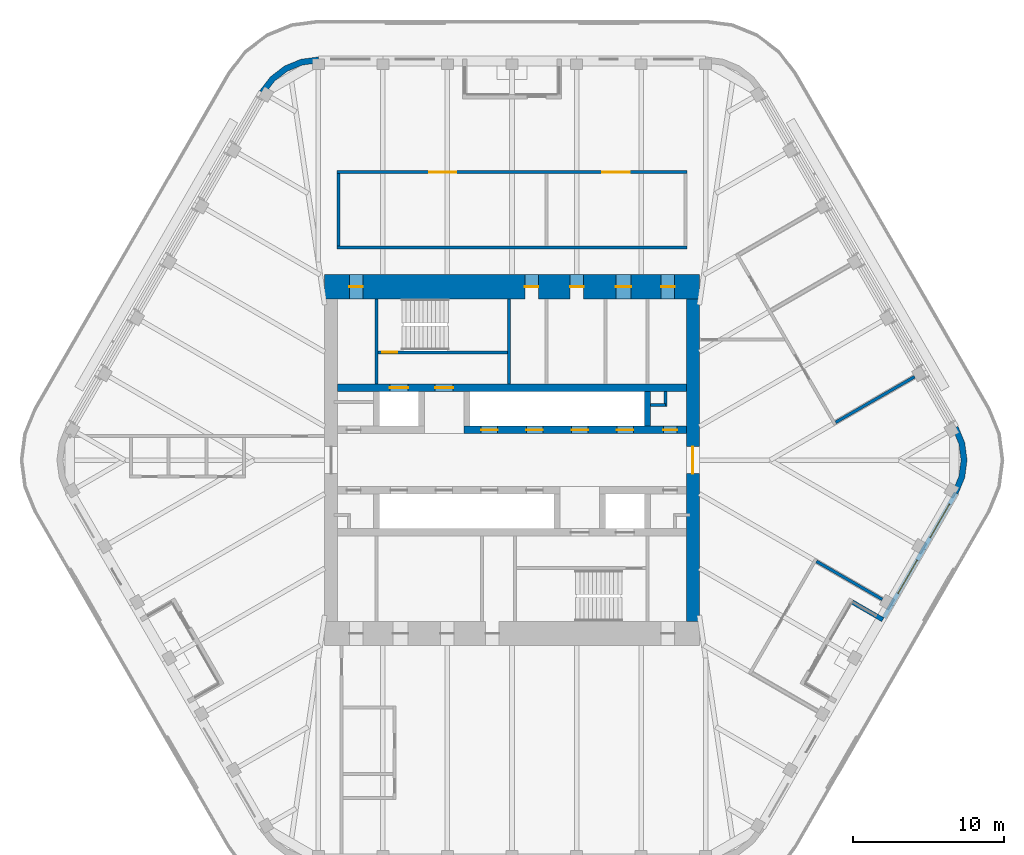
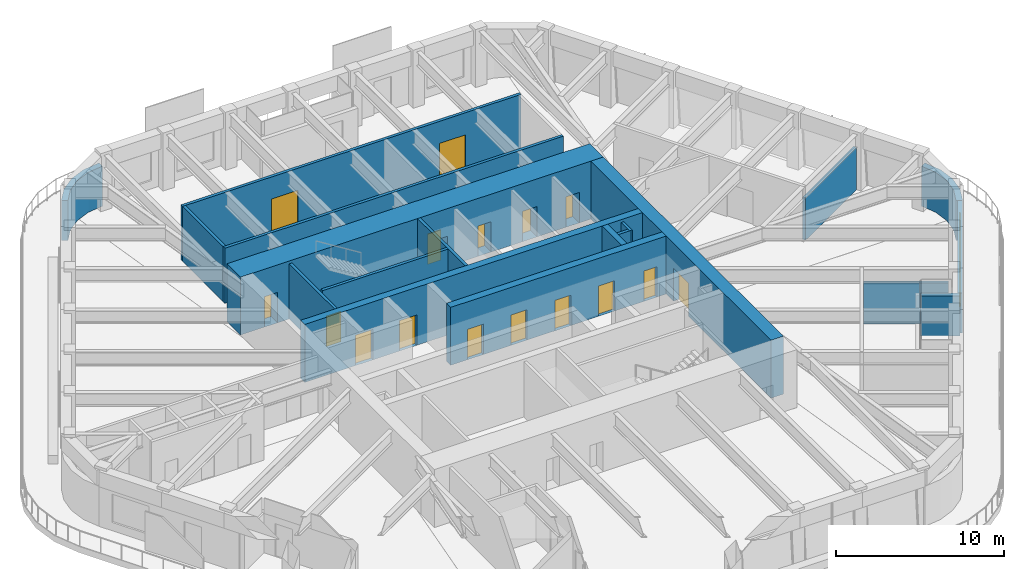
# One storey, part 15 of 19: 19 walls, 16 doors, 2 windows, 18 openings.
"""IFC4 building model written with IfcOpenShell, lengths in metres."""

from ifc_helpers import new_model, si_unit, direction, frame, frame_2d, origin, place, context, subcontext, project, spatial, polyline, rectangle, outline, extrude, material, layer, layer_set, type_object, element, fill, save


model = new_model("IFC4")

# Units and contexts
model_context = context("Model", 3, precision=1e-05, world=origin(), true_north=direction((0.0, 1.0)))
body_context = subcontext(model_context, "Body", "Model", "MODEL_VIEW")
ifc_project = project(units=[si_unit("LENGTHUNIT", "METRE"), si_unit("AREAUNIT", "SQUARE_METRE"), si_unit("VOLUMEUNIT", "CUBIC_METRE"), si_unit("PLANEANGLEUNIT", "RADIAN"), si_unit("MASSUNIT", "GRAM", prefix="KILO")], contexts=[model_context])

# Site, building, storey
site_placement = place(None, origin())
site = spatial("IfcSite", under=ifc_project, at=site_placement, CompositionType="ELEMENT")
building_placement = place(site_placement, origin())
building = spatial("IfcBuilding", under=site, at=building_placement, Name="Tarfa Lantern Tower", CompositionType="ELEMENT")
storey_placement = place(building_placement, frame((0.0, 0.0, 387.10009765625)))
storey = spatial("IfcBuildingStorey", under=building, at=storey_placement, Name="L88", CompositionType="ELEMENT", Elevation=387.10009765625)

# Wall, openings, windows
ifc_material_1 = material(Name="Limestone cladding on blockwork", Category="masonry")
ifc_layer_1 = layer(ifc_material_1, 0.300048828125)
ifc_layer_set_1 = layer_set([ifc_layer_1], Name="EW1 STONE-CLAD WALL 300")
wall_type_1 = type_object("IfcWallType", Name="EW1 STONE-CLAD WALL 300", PredefinedType="SOLIDWALL", material=ifc_layer_set_1)
wall_1_placement = place(storey_placement, frame((24.67724609375, -10.457763671875, 0.0), z_axis=(0.0, 0.0, 1.0), x_axis=(0.499996453679, 0.866027451244, 0.0)))
wall_1 = element("IfcWall", 1, at=wall_1_placement, inside=storey, type_object=wall_type_1, Name="Stone wall SEB", PredefinedType="SOLIDWALL", context=body_context, shape_type="SweptSolid", body=[
    extrude(rectangle(XDim=9.56396484375, YDim=0.300048828125, at=frame_2d((4.781982421875, 0.0))), origin(), (0.0, 0.0, 1.0), 2.89990234375),
])
opening_1_placement = place(wall_1_placement, frame((1.865966796875, 0.0, 0.60009765625)))
opening_1 = element("IfcOpeningElement", 2, at=opening_1_placement, cuts=wall_1, Name="Opening W17", PredefinedType="OPENING", context=body_context, shape_type="SweptSolid", body=[
    extrude(rectangle(XDim=2.550048828125, YDim=2.050048828125, at=frame_2d((1.27490234375, 1.02490234375))), frame((0.0, 0.159912109375, 0.0), z_axis=(0.0, -1.0, 0.0), x_axis=(1.0, 0.0, 0.0)), (0.0, 0.0, 1.0), 0.320068359375),
])
opening_2_placement = place(wall_1_placement, frame((6.14794921875, 0.0, 0.60009765625)))
opening_2 = element("IfcOpeningElement", 3, at=opening_2_placement, cuts=wall_1, Name="Opening W17", PredefinedType="OPENING", context=body_context, shape_type="SweptSolid", body=[
    extrude(rectangle(XDim=2.550048828125, YDim=2.050048828125, at=frame_2d((1.27490234375, 1.02490234375))), frame((0.0, 0.159912109375, 0.0), z_axis=(0.0, -1.0, 0.0), x_axis=(1.0, 0.0, 0.0)), (0.0, 0.0, 1.0), 0.320068359375),
])
ifc_material_2 = material(Name="Aluminium frame, double glazed", Category="aluminium")
window_type = type_object("IfcWindowType", Name="W17 FULL-HEIGHT GLAZING 2550x2050", PartitioningType="SINGLE_PANEL", PredefinedType="WINDOW", material=ifc_material_2)
window_1_placement = place(opening_1_placement, origin())
window_1 = element("IfcWindow", 4, at=window_1_placement, inside=storey, type_object=window_type, Name="Window SEB 1", OverallHeight=2.050048828125, OverallWidth=2.550048828125, PartitioningType="SINGLE_PANEL", PredefinedType="WINDOW", context=body_context, shape_type="SweptSolid", body=[
    extrude(rectangle(XDim=2.550048828125, YDim=2.050048828125, at=frame_2d((1.27490234375, 1.02490234375))), frame((0.0, 0.030029296875, 0.0), z_axis=(0.0, -1.0, 0.0), x_axis=(1.0, 0.0, 0.0)), (0.0, 0.0, 1.0), 0.06005859375),
])
fill(opening_1, window_1)
window_2_placement = place(opening_2_placement, origin())
window_2 = element("IfcWindow", 5, at=window_2_placement, inside=storey, type_object=window_type, Name="Window SEB 2", OverallHeight=2.050048828125, OverallWidth=2.550048828125, PartitioningType="SINGLE_PANEL", PredefinedType="WINDOW", context=body_context, shape_type="SweptSolid", body=[
    extrude(rectangle(XDim=2.550048828125, YDim=2.050048828125, at=frame_2d((1.27490234375, 1.02490234375))), frame((0.0, 0.030029296875, 0.0), z_axis=(0.0, -1.0, 0.0), x_axis=(1.0, 0.0, 0.0)), (0.0, 0.0, 1.0), 0.06005859375),
])
fill(opening_2, window_2)

# Walls
wall_2_placement = place(storey_placement, frame((24.602294921875, -10.587646484375, 0.0), z_axis=(0.0, 0.0, 1.0), x_axis=(-0.866016039709, 0.500016218704, 0.0)))
element("IfcWall", 6, at=wall_2_placement, inside=storey, type_object=wall_type_1, Name="Terrace return SE 2", PredefinedType="SOLIDWALL", context=body_context, shape_type="SweptSolid", body=[
    extrude(rectangle(XDim=2.35009765625, YDim=0.300048828125, at=frame_2d((1.175048828125, 0.0))), origin(), (0.0, 0.0, 1.0), 2.89990234375),
])
ifc_layer_2 = layer(ifc_material_1, 0.39990234375)
ifc_layer_set_2 = layer_set([ifc_layer_2], Name="EW2 CURVED STONE CORNER 400")
wall_type_2 = type_object("IfcWallType", Name="EW2 CURVED STONE CORNER 400", PredefinedType="SOLIDWALL", material=ifc_layer_set_2)
wall_3_placement = place(storey_placement, origin())
element("IfcWall", 7, at=wall_3_placement, inside=storey, type_object=wall_type_2, Name="Stone corner N-NW", PredefinedType="SOLIDWALL", context=body_context, shape_type="SweptSolid", body=[
    extrude(outline(polyline([(-12.845947265625, 26.75), (-14.0107421875, 26.5966796875), (-15.095947265625, 26.147216796875), (-16.028076171875, 25.431884765625), (-16.7431640625, 24.5), (-16.396728515625, 24.300048828125), (-15.7451171875, 25.149169921875), (-14.89599609375, 25.80078125), (-13.9072265625, 26.210205078125), (-12.845947265625, 26.35009765625), (-12.845947265625, 26.75)])), origin(), (0.0, 0.0, 1.0), 2.89990234375),
])
wall_4_placement = place(storey_placement, origin())
element("IfcWall", 8, at=wall_4_placement, inside=storey, type_object=wall_type_2, Name="Stone corner SE-NE", PredefinedType="SOLIDWALL", context=body_context, shape_type="SweptSolid", body=[
    extrude(outline(polyline([(29.589111328125, -2.25), (30.038818359375, -1.164794921875), (30.192138671875, 0.0), (30.038818359375, 1.164794921875), (29.589111328125, 2.25), (29.24267578125, 2.050048828125), (29.65234375, 1.061279296875), (29.7919921875, 0.0), (29.65234375, -1.061279296875), (29.24267578125, -2.050048828125), (29.589111328125, -2.25)])), origin(), (0.0, 0.0, 1.0), 2.89990234375),
])
ifc_material_3 = material(Name="Concrete blockwork", Category="masonry")
ifc_layer_3 = layer(ifc_material_3, 0.199951171875)
ifc_layer_set_3 = layer_set([ifc_layer_3], Name="IW1 BLOCKWORK PARTITION 200 EI 120")
wall_type_3 = type_object("IfcWallType", Name="IW1 BLOCKWORK PARTITION 200 EI 120", PredefinedType="PARTITIONING", material=ifc_layer_set_3)
wall_5_placement = place(storey_placement, frame((-9.0, 5.050048828125, 0.0), z_axis=(0.0, 0.0, 1.0), x_axis=(0.0, 1.0, 0.0)))
element("IfcWall", 9, at=wall_5_placement, inside=storey, type_object=wall_type_3, Name="Core partition", PredefinedType="PARTITIONING", context=body_context, shape_type="SweptSolid", body=[
    extrude(rectangle(XDim=5.64990234375, YDim=0.199951171875, at=frame_2d((2.824951171875, 0.0))), origin(), (0.0, 0.0, 1.0), 4.0),
])
for number, where, z_axis, x_axis, name in (
    (10, (9.199951171875, 3.64990234375, 0.0), (0.0, 0.0, 1.0), (1.0, 0.0, 0.0), "Core partition"),
    (11, (10.199951171875, 3.550048828125, 0.0), (0.0, 0.0, 1.0), (0.0, 1.0, 0.0), "Core partition"),
):
    element("IfcWall", number, at=place(storey_placement, frame(where, z_axis=z_axis, x_axis=x_axis)), inside=storey, type_object=wall_type_3, Name=name, PredefinedType="PARTITIONING", context=body_context, shape_type="SweptSolid", body=[
        extrude(rectangle(XDim=1.0, YDim=0.199951171875, at=frame_2d((0.5, 0.0))), origin(), (0.0, 0.0, 1.0), 4.0),
    ])
ifc_material_4 = material(Name="Gypsum board on steel studs", Category="steel")
ifc_layer_4 = layer(ifc_material_4, 0.2099609375)
ifc_layer_set_4 = layer_set([ifc_layer_4], Name="IW2 ACOUSTIC PARTITION 200")
wall_type_4 = type_object("IfcWallType", Name="IW2 ACOUSTIC PARTITION 200", PredefinedType="PARTITIONING", material=ifc_layer_set_4)
wall_6_placement = place(storey_placement, frame((-11.60009765625, 14.10009765625, 0.0), z_axis=(0.0, 0.0, 1.0), x_axis=(1.0, 0.0, 0.0)))
element("IfcWall", 12, at=wall_6_placement, inside=storey, type_object=wall_type_4, Name="Partition", PredefinedType="PARTITIONING", context=body_context, shape_type="SweptSolid", body=[
    extrude(rectangle(XDim=23.2001953125, YDim=0.199951171875, at=frame_2d((11.60009765625, 0.0))), origin(), (0.0, 0.0, 1.0), 4.0),
])

# Wall, openings, doors
wall_7_placement = place(storey_placement, frame((-11.60009765625, 19.10009765625, 0.0), z_axis=(0.0, 0.0, 1.0), x_axis=(1.0, 0.0, 0.0)))
wall_7 = element("IfcWall", 13, at=wall_7_placement, inside=storey, type_object=wall_type_4, Name="Partition", PredefinedType="PARTITIONING", context=body_context, shape_type="SweptSolid", body=[
    extrude(rectangle(XDim=23.2001953125, YDim=0.199951171875, at=frame_2d((11.60009765625, 0.0))), origin(), (0.0, 0.0, 1.0), 4.0),
])
opening_3_placement = place(wall_7_placement, frame((6.10009765625, 0.0, 0.0)))
opening_3 = element("IfcOpeningElement", 14, at=opening_3_placement, cuts=wall_7, Name="Opening D24", PredefinedType="OPENING", context=body_context, shape_type="SweptSolid", body=[
    extrude(rectangle(XDim=1.800048828125, YDim=2.39990234375, at=frame_2d((0.89990234375, 1.199951171875))), frame((0.0, 0.10986328125, 0.0), z_axis=(0.0, -1.0, 0.0), x_axis=(1.0, 0.0, 0.0)), (0.0, 0.0, 1.0), 0.219970703125),
])
opening_4_placement = place(wall_7_placement, frame((17.60009765625, 0.0, 0.0)))
opening_4 = element("IfcOpeningElement", 15, at=opening_4_placement, cuts=wall_7, Name="Opening D25", PredefinedType="OPENING", context=body_context, shape_type="SweptSolid", body=[
    extrude(rectangle(XDim=1.800048828125, YDim=2.39990234375, at=frame_2d((0.89990234375, 1.199951171875))), frame((0.0, 0.10986328125, 0.0), z_axis=(0.0, -1.0, 0.0), x_axis=(1.0, 0.0, 0.0)), (0.0, 0.0, 1.0), 0.219970703125),
])
ifc_material_5 = material(Name="Timber door", Category="wood")
door_type_1 = type_object("IfcDoorType", Name="DR2 ROOM DOOR 1800x2400", OperationType="DOUBLE_DOOR_SINGLE_SWING", PredefinedType="DOOR", material=ifc_material_5)
door_1_placement = place(opening_3_placement, frame((1.800048828125, 0.0, 0.0), z_axis=(0.0, 0.0, 1.0), x_axis=(-1.0, 0.0, 0.0)))
door_1 = element("IfcDoor", 16, at=door_1_placement, inside=storey, type_object=door_type_1, Name="Servery door", OperationType="DOUBLE_DOOR_SINGLE_SWING", OverallHeight=2.39990234375, OverallWidth=1.800048828125, PredefinedType="DOOR", context=body_context, shape_type="SweptSolid", body=[
    extrude(rectangle(XDim=1.800048828125, YDim=2.39990234375, at=frame_2d((0.89990234375, 1.199951171875))), frame((0.0, 0.02490234375, 0.0), z_axis=(0.0, -1.0, 0.0), x_axis=(1.0, 0.0, 0.0)), (0.0, 0.0, 1.0), 0.050048828125),
])
fill(opening_3, door_1)
door_2_placement = place(opening_4_placement, frame((1.800048828125, 0.0, 0.0), z_axis=(0.0, 0.0, 1.0), x_axis=(-1.0, 0.0, 0.0)))
door_2 = element("IfcDoor", 17, at=door_2_placement, inside=storey, type_object=door_type_1, Name="Store door", OperationType="DOUBLE_DOOR_SINGLE_SWING", OverallHeight=2.39990234375, OverallWidth=1.800048828125, PredefinedType="DOOR", context=body_context, shape_type="SweptSolid", body=[
    extrude(rectangle(XDim=1.800048828125, YDim=2.39990234375, at=frame_2d((0.89990234375, 1.199951171875))), frame((0.0, 0.02490234375, 0.0), z_axis=(0.0, -1.0, 0.0), x_axis=(1.0, 0.0, 0.0)), (0.0, 0.0, 1.0), 0.050048828125),
])
fill(opening_4, door_2)

# Walls
wall_8_placement = place(storey_placement, frame((-11.5, 14.199951171875, 0.0), z_axis=(0.0, 0.0, 1.0), x_axis=(0.0, 1.0, 0.0)))
element("IfcWall", 18, at=wall_8_placement, inside=storey, type_object=wall_type_4, Name="Partition", PredefinedType="PARTITIONING", context=body_context, shape_type="SweptSolid", body=[
    extrude(rectangle(XDim=4.800048828125, YDim=0.199951171875, at=frame_2d((2.39990234375, 0.0))), origin(), (0.0, 0.0, 1.0), 4.0),
])
wall_9_placement = place(storey_placement, frame((21.47265625, 2.50830078125, 0.0), z_axis=(0.0, 0.0, 1.0), x_axis=(0.866016913815, 0.50001470477, 0.0)))
element("IfcWall", 19, at=wall_9_placement, inside=storey, type_object=wall_type_4, Name="Partition", PredefinedType="PARTITIONING", context=body_context, shape_type="SweptSolid", body=[
    extrude(rectangle(XDim=6.050048828125, YDim=0.199951171875, at=frame_2d((3.02490234375, 0.0))), origin(), (0.0, 0.0, 1.0), 3.08154296875),
])
wall_10_placement = place(storey_placement, frame((20.19775390625, -6.716552734375, 0.0), z_axis=(0.0, 0.0, 1.0), x_axis=(0.866006046928, -0.500033525561, 0.0)))
element("IfcWall", 20, at=wall_10_placement, inside=storey, type_object=wall_type_4, Name="Partition", PredefinedType="PARTITIONING", context=body_context, shape_type="SweptSolid", body=[
    extrude(rectangle(XDim=5.050048828125, YDim=0.199951171875, at=frame_2d((2.52490234375, 0.0))), origin(), (0.0, 0.0, 1.0), 2.99169921875),
])
ifc_material_6 = material(Name="Concrete C80/95", Category="concrete")
ifc_layer_5 = layer(ifc_material_6, 0.199951171875)
ifc_layer_set_5 = layer_set([ifc_layer_5], Name="SW12 CORE WALL 200")
wall_type_5 = type_object("IfcWallType", Name="SW12 CORE WALL 200", PredefinedType="SHEAR", material=ifc_layer_set_5)
wall_11_placement = place(storey_placement, frame((-0.199951171875, 5.050048828125, 0.0), z_axis=(0.0, 0.0, 1.0), x_axis=(0.0, 1.0, 0.0)))
element("IfcWall", 21, at=wall_11_placement, inside=storey, type_object=wall_type_5, Name="Core wall stair shaft N", PredefinedType="SHEAR", context=body_context, shape_type="SweptSolid", body=[
    extrude(rectangle(XDim=5.64990234375, YDim=0.199951171875, at=frame_2d((2.824951171875, 0.0))), origin(), (0.0, 0.0, 1.0), 4.199951171875),
])

# Wall, opening, door
wall_12_placement = place(storey_placement, frame((-8.89990234375, 7.14990234375, 0.0), z_axis=(0.0, 0.0, 1.0), x_axis=(1.0, 0.0, 0.0)))
wall_12 = element("IfcWall", 22, at=wall_12_placement, inside=storey, type_object=wall_type_5, Name="Core wall stair partition N", PredefinedType="SHEAR", context=body_context, shape_type="SweptSolid", body=[
    extrude(rectangle(XDim=8.599853515625, YDim=0.199951171875, at=frame_2d((4.2998046875, 0.0))), origin(), (0.0, 0.0, 1.0), 4.199951171875),
])
opening_5_placement = place(wall_12_placement, frame((0.300048828125, 0.0, 0.0)))
opening_5 = element("IfcOpeningElement", 23, at=opening_5_placement, cuts=wall_12, Name="Opening D19", PredefinedType="OPENING", context=body_context, shape_type="SweptSolid", body=[
    extrude(rectangle(XDim=1.0, YDim=2.199951171875, at=frame_2d((0.5, 1.10009765625))), frame((0.0, 0.10986328125, 0.0), z_axis=(0.0, -1.0, 0.0), x_axis=(1.0, 0.0, 0.0)), (0.0, 0.0, 1.0), 0.219970703125),
])
ifc_material_7 = material(Name="Steel fire door", Category="steel")
door_type_2 = type_object("IfcDoorType", Name="DF2 STAIR DOOR 1000x2200", OperationType="SINGLE_SWING_LEFT", PredefinedType="DOOR", material=ifc_material_7)
door_3_placement = place(opening_5_placement, origin())
door_3 = element("IfcDoor", 24, at=door_3_placement, inside=storey, type_object=door_type_2, Name="Stair door", OperationType="SINGLE_SWING_RIGHT", OverallHeight=2.199951171875, OverallWidth=1.0, PredefinedType="DOOR", context=body_context, shape_type="SweptSolid", body=[
    extrude(rectangle(XDim=1.0, YDim=2.199951171875, at=frame_2d((0.5, 1.10009765625))), frame((0.0, 0.02490234375, 0.0), z_axis=(0.0, -1.0, 0.0), x_axis=(1.0, 0.0, 0.0)), (0.0, 0.0, 1.0), 0.050048828125),
])
fill(opening_5, door_3)

ifc_layer_6 = layer(ifc_material_6, 0.85009765625)
ifc_layer_set_6 = layer_set([ifc_layer_6], Name="SW3 CORE WALL 850")
wall_type_6 = type_object("IfcWallType", Name="SW3 CORE WALL 850", PredefinedType="SHEAR", material=ifc_layer_set_6)
wall_13_placement = place(storey_placement, frame((12.0, -10.699951171875, 0.0), z_axis=(0.0, 0.0, 1.0), x_axis=(0.0, 1.0, 0.0)))
wall_13 = element("IfcWall", 25, at=wall_13_placement, inside=storey, type_object=wall_type_6, Name="Core wall E", PredefinedType="SHEAR", context=body_context, shape_type="SweptSolid", body=[
    extrude(rectangle(XDim=21.39990234375, YDim=0.85009765625, at=frame_2d((10.699951171875, 0.0))), origin(), (0.0, 0.0, 1.0), 4.199951171875),
])
opening_6_placement = place(wall_13_placement, frame((9.800048828125, 0.0, 0.0)))
opening_6 = element("IfcOpeningElement", 26, at=opening_6_placement, cuts=wall_13, Name="Opening D07", PredefinedType="OPENING", context=body_context, shape_type="SweptSolid", body=[
    extrude(rectangle(XDim=1.800048828125, YDim=2.39990234375, at=frame_2d((0.89990234375, 1.199951171875))), frame((0.0, 0.43505859375, 0.0), z_axis=(0.0, -1.0, 0.0), x_axis=(1.0, 0.0, 0.0)), (0.0, 0.0, 1.0), 0.8701171875),
])
door_type_3 = type_object("IfcDoorType", Name="DL1 LOBBY DOOR 1800x2400", OperationType="DOUBLE_DOOR_SINGLE_SWING", PredefinedType="DOOR", material=ifc_material_7)
door_4_placement = place(opening_6_placement, frame((1.800048828125, 0.0, 0.0), z_axis=(0.0, 0.0, 1.0), x_axis=(-1.0, 0.0, 0.0)))
door_4 = element("IfcDoor", 27, at=door_4_placement, inside=storey, type_object=door_type_3, Name="Lift lobby door", OperationType="DOUBLE_DOOR_SINGLE_SWING", OverallHeight=2.39990234375, OverallWidth=1.800048828125, PredefinedType="DOOR", context=body_context, shape_type="SweptSolid", body=[
    extrude(rectangle(XDim=1.800048828125, YDim=2.39990234375, at=frame_2d((0.89990234375, 1.199951171875))), frame((0.0, 0.02490234375, 0.0), z_axis=(0.0, -1.0, 0.0), x_axis=(1.0, 0.0, 0.0)), (0.0, 0.0, 1.0), 0.050048828125),
])
fill(opening_6, door_4)

# Wall, openings, doors
ifc_layer_7 = layer(ifc_material_6, 0.5)
ifc_layer_set_7 = layer_set([ifc_layer_7], Name="SW5 CORE WALL 500")
wall_type_7 = type_object("IfcWallType", Name="SW5 CORE WALL 500", PredefinedType="SHEAR", material=ifc_layer_set_7)
wall_14_placement = place(storey_placement, frame((-3.199951171875, 2.0, 0.0), z_axis=(0.0, 0.0, 1.0), x_axis=(1.0, 0.0, 0.0)))
wall_14 = element("IfcWall", 28, at=wall_14_placement, inside=storey, type_object=wall_type_7, Name="Core wall lobby east N", PredefinedType="SHEAR", context=body_context, shape_type="SweptSolid", body=[
    extrude(rectangle(XDim=14.77490234375, YDim=0.5, at=frame_2d((7.387451171875, 0.0))), origin(), (0.0, 0.0, 1.0), 4.199951171875),
])
opening_7_placement = place(wall_14_placement, frame((13.25, 0.0, 0.0)))
opening_7 = element("IfcOpeningElement", 29, at=opening_7_placement, cuts=wall_14, Name="Opening D09", PredefinedType="OPENING", context=body_context, shape_type="SweptSolid", body=[
    extrude(rectangle(XDim=0.89990234375, YDim=2.199951171875, at=frame_2d((0.449951171875, 1.10009765625))), frame((0.0, 0.260009765625, 0.0), z_axis=(0.0, -1.0, 0.0), x_axis=(1.0, 0.0, 0.0)), (0.0, 0.0, 1.0), 0.52001953125),
])
opening_8_placement = place(wall_14_placement, frame((1.14990234375, 0.0, 0.0)))
opening_8 = element("IfcOpeningElement", 30, at=opening_8_placement, cuts=wall_14, Name="Opening LD03", PredefinedType="OPENING", context=body_context, shape_type="SweptSolid", body=[
    extrude(rectangle(XDim=1.10009765625, YDim=2.199951171875, at=frame_2d((0.550048828125, 1.10009765625))), frame((0.0, 0.260009765625, 0.0), z_axis=(0.0, -1.0, 0.0), x_axis=(1.0, 0.0, 0.0)), (0.0, 0.0, 1.0), 0.52001953125),
])
opening_9_placement = place(wall_14_placement, frame((4.14990234375, 0.0, 0.0)))
opening_9 = element("IfcOpeningElement", 31, at=opening_9_placement, cuts=wall_14, Name="Opening LD04", PredefinedType="OPENING", context=body_context, shape_type="SweptSolid", body=[
    extrude(rectangle(XDim=1.10009765625, YDim=2.199951171875, at=frame_2d((0.550048828125, 1.10009765625))), frame((0.0, 0.260009765625, 0.0), z_axis=(0.0, -1.0, 0.0), x_axis=(1.0, 0.0, 0.0)), (0.0, 0.0, 1.0), 0.52001953125),
])
opening_10_placement = place(wall_14_placement, frame((7.14990234375, 0.0, 0.0)))
opening_10 = element("IfcOpeningElement", 32, at=opening_10_placement, cuts=wall_14, Name="Opening LD05", PredefinedType="OPENING", context=body_context, shape_type="SweptSolid", body=[
    extrude(rectangle(XDim=1.10009765625, YDim=2.199951171875, at=frame_2d((0.550048828125, 1.10009765625))), frame((0.0, 0.260009765625, 0.0), z_axis=(0.0, -1.0, 0.0), x_axis=(1.0, 0.0, 0.0)), (0.0, 0.0, 1.0), 0.52001953125),
])
opening_11_placement = place(wall_14_placement, frame((10.14990234375, 0.0, 0.0)))
opening_11 = element("IfcOpeningElement", 33, at=opening_11_placement, cuts=wall_14, Name="Opening LD06", PredefinedType="OPENING", context=body_context, shape_type="SweptSolid", body=[
    extrude(rectangle(XDim=1.10009765625, YDim=2.199951171875, at=frame_2d((0.550048828125, 1.10009765625))), frame((0.0, 0.260009765625, 0.0), z_axis=(0.0, -1.0, 0.0), x_axis=(1.0, 0.0, 0.0)), (0.0, 0.0, 1.0), 0.52001953125),
])
door_type_4 = type_object("IfcDoorType", Name="DF6 SERVICE ROOM DOOR 900x2200", OperationType="SINGLE_SWING_LEFT", PredefinedType="DOOR", material=ifc_material_7)
door_5_placement = place(opening_7_placement, origin())
door_5 = element("IfcDoor", 34, at=door_5_placement, inside=storey, type_object=door_type_4, Name="Service room door", OperationType="SINGLE_SWING_LEFT", OverallHeight=2.199951171875, OverallWidth=0.89990234375, PredefinedType="DOOR", context=body_context, shape_type="SweptSolid", body=[
    extrude(rectangle(XDim=0.89990234375, YDim=2.199951171875, at=frame_2d((0.449951171875, 1.10009765625))), frame((0.0, 0.02490234375, 0.0), z_axis=(0.0, -1.0, 0.0), x_axis=(1.0, 0.0, 0.0)), (0.0, 0.0, 1.0), 0.050048828125),
])
fill(opening_7, door_5)
ifc_material_8 = material(Name="Stainless steel lift door", Category="steel")
door_type_5 = type_object("IfcDoorType", Name="LD2 LIFT LANDING DOOR 1100x2200", OperationType="SLIDING_TO_LEFT", PredefinedType="DOOR", material=ifc_material_8)
door_6_placement = place(opening_8_placement, frame((1.10009765625, 0.0, 0.0), z_axis=(0.0, 0.0, 1.0), x_axis=(-1.0, 0.0, 0.0)))
door_6 = element("IfcDoor", 35, at=door_6_placement, inside=storey, type_object=door_type_5, Name="Landing door PD1", OperationType="SLIDING_TO_LEFT", OverallHeight=2.199951171875, OverallWidth=1.10009765625, PredefinedType="DOOR", context=body_context, shape_type="SweptSolid", body=[
    extrude(rectangle(XDim=1.10009765625, YDim=2.199951171875, at=frame_2d((0.550048828125, 1.10009765625))), frame((0.0, 0.02490234375, 0.0), z_axis=(0.0, -1.0, 0.0), x_axis=(1.0, 0.0, 0.0)), (0.0, 0.0, 1.0), 0.050048828125),
])
fill(opening_8, door_6)
door_7_placement = place(opening_9_placement, frame((1.10009765625, 0.0, 0.0), z_axis=(0.0, 0.0, 1.0), x_axis=(-1.0, 0.0, 0.0)))
door_7 = element("IfcDoor", 36, at=door_7_placement, inside=storey, type_object=door_type_5, Name="Landing door PD2", OperationType="SLIDING_TO_LEFT", OverallHeight=2.199951171875, OverallWidth=1.10009765625, PredefinedType="DOOR", context=body_context, shape_type="SweptSolid", body=[
    extrude(rectangle(XDim=1.10009765625, YDim=2.199951171875, at=frame_2d((0.550048828125, 1.10009765625))), frame((0.0, 0.02490234375, 0.0), z_axis=(0.0, -1.0, 0.0), x_axis=(1.0, 0.0, 0.0)), (0.0, 0.0, 1.0), 0.050048828125),
])
fill(opening_9, door_7)
door_8_placement = place(opening_10_placement, frame((1.10009765625, 0.0, 0.0), z_axis=(0.0, 0.0, 1.0), x_axis=(-1.0, 0.0, 0.0)))
door_8 = element("IfcDoor", 37, at=door_8_placement, inside=storey, type_object=door_type_5, Name="Landing door PD3", OperationType="SLIDING_TO_LEFT", OverallHeight=2.199951171875, OverallWidth=1.10009765625, PredefinedType="DOOR", context=body_context, shape_type="SweptSolid", body=[
    extrude(rectangle(XDim=1.10009765625, YDim=2.199951171875, at=frame_2d((0.550048828125, 1.10009765625))), frame((0.0, 0.02490234375, 0.0), z_axis=(0.0, -1.0, 0.0), x_axis=(1.0, 0.0, 0.0)), (0.0, 0.0, 1.0), 0.050048828125),
])
fill(opening_10, door_8)
door_9_placement = place(opening_11_placement, frame((1.10009765625, 0.0, 0.0), z_axis=(0.0, 0.0, 1.0), x_axis=(-1.0, 0.0, 0.0)))
door_9 = element("IfcDoor", 38, at=door_9_placement, inside=storey, type_object=door_type_5, Name="Landing door PD4", OperationType="SLIDING_TO_LEFT", OverallHeight=2.199951171875, OverallWidth=1.10009765625, PredefinedType="DOOR", context=body_context, shape_type="SweptSolid", body=[
    extrude(rectangle(XDim=1.10009765625, YDim=2.199951171875, at=frame_2d((0.550048828125, 1.10009765625))), frame((0.0, 0.02490234375, 0.0), z_axis=(0.0, -1.0, 0.0), x_axis=(1.0, 0.0, 0.0)), (0.0, 0.0, 1.0), 0.050048828125),
])
fill(opening_11, door_9)

wall_15_placement = place(storey_placement, frame((-11.574951171875, 4.800048828125, 0.0), z_axis=(0.0, 0.0, 1.0), x_axis=(1.0, 0.0, 0.0)))
wall_15 = element("IfcWall", 39, at=wall_15_placement, inside=storey, type_object=wall_type_7, Name="Core wall rear N", PredefinedType="SHEAR", context=body_context, shape_type="SweptSolid", body=[
    extrude(rectangle(XDim=23.14990234375, YDim=0.5, at=frame_2d((11.574951171875, 0.0))), origin(), (0.0, 0.0, 1.0), 4.199951171875),
])
opening_12_placement = place(wall_15_placement, frame((6.47509765625, 0.0, 0.0)))
opening_12 = element("IfcOpeningElement", 40, at=opening_12_placement, cuts=wall_15, Name="Opening D05", PredefinedType="OPENING", context=body_context, shape_type="SweptSolid", body=[
    extrude(rectangle(XDim=1.199951171875, YDim=2.199951171875, at=frame_2d((0.60009765625, 1.10009765625))), frame((0.0, 0.260009765625, 0.0), z_axis=(0.0, -1.0, 0.0), x_axis=(1.0, 0.0, 0.0)), (0.0, 0.0, 1.0), 0.52001953125),
])
opening_13_placement = place(wall_15_placement, frame((3.47509765625, 0.0, 0.0)))
opening_13 = element("IfcOpeningElement", 41, at=opening_13_placement, cuts=wall_15, Name="Opening LD01", PredefinedType="OPENING", context=body_context, shape_type="SweptSolid", body=[
    extrude(rectangle(XDim=1.199951171875, YDim=2.199951171875, at=frame_2d((0.60009765625, 1.10009765625))), frame((0.0, 0.260009765625, 0.0), z_axis=(0.0, -1.0, 0.0), x_axis=(1.0, 0.0, 0.0)), (0.0, 0.0, 1.0), 0.52001953125),
])
door_type_6 = type_object("IfcDoorType", Name="DF1 FIREFIGHTING LOBBY DOOR 1200x2200", OperationType="SINGLE_SWING_LEFT", PredefinedType="DOOR", material=ifc_material_7)
door_10_placement = place(opening_12_placement, origin())
door_10 = element("IfcDoor", 42, at=door_10_placement, inside=storey, type_object=door_type_6, Name="Firefighting lobby door", OperationType="SINGLE_SWING_LEFT", OverallHeight=2.199951171875, OverallWidth=1.199951171875, PredefinedType="DOOR", context=body_context, shape_type="SweptSolid", body=[
    extrude(rectangle(XDim=1.199951171875, YDim=2.199951171875, at=frame_2d((0.60009765625, 1.10009765625))), frame((0.0, 0.02490234375, 0.0), z_axis=(0.0, -1.0, 0.0), x_axis=(1.0, 0.0, 0.0)), (0.0, 0.0, 1.0), 0.050048828125),
])
fill(opening_12, door_10)
door_type_7 = type_object("IfcDoorType", Name="LD1 LIFT LANDING DOOR 1200x2200", OperationType="SLIDING_TO_LEFT", PredefinedType="DOOR", material=ifc_material_8)
door_11_placement = place(opening_13_placement, origin())
door_11 = element("IfcDoor", 43, at=door_11_placement, inside=storey, type_object=door_type_7, Name="Landing door FL1", OperationType="SLIDING_TO_LEFT", OverallHeight=2.199951171875, OverallWidth=1.199951171875, PredefinedType="DOOR", context=body_context, shape_type="SweptSolid", body=[
    extrude(rectangle(XDim=1.199951171875, YDim=2.199951171875, at=frame_2d((0.60009765625, 1.10009765625))), frame((0.0, 0.02490234375, 0.0), z_axis=(0.0, -1.0, 0.0), x_axis=(1.0, 0.0, 0.0)), (0.0, 0.0, 1.0), 0.050048828125),
])
fill(opening_13, door_11)

# Wall
ifc_layer_8 = layer(ifc_material_6, 0.39990234375)
ifc_layer_set_8 = layer_set([ifc_layer_8], Name="SW6 CORE WALL 400")
wall_type_8 = type_object("IfcWallType", Name="SW6 CORE WALL 400", PredefinedType="SHEAR", material=ifc_layer_set_8)
wall_16_placement = place(storey_placement, frame((9.0, 2.25, 0.0), z_axis=(0.0, 0.0, 1.0), x_axis=(0.0, 1.0, 0.0)))
element("IfcWall", 44, at=wall_16_placement, inside=storey, type_object=wall_type_8, Name="Core wall divider N", PredefinedType="SHEAR", context=body_context, shape_type="SweptSolid", body=[
    extrude(rectangle(XDim=2.300048828125, YDim=0.39990234375, at=frame_2d((1.14990234375, 0.0))), origin(), (0.0, 0.0, 1.0), 4.199951171875),
])

# Wall, openings, doors
ifc_layer_9 = layer(ifc_material_6, 1.60009765625)
ifc_layer_set_9 = layer_set([ifc_layer_9], Name="SW7 CORE WALL 1600")
wall_type_9 = type_object("IfcWallType", Name="SW7 CORE WALL 1600", PredefinedType="SHEAR", material=ifc_layer_set_9)
wall_17_placement = place(storey_placement, frame((-12.425048828125, 11.5, 0.0), z_axis=(0.0, 0.0, 1.0), x_axis=(1.0, 0.0, 0.0)))
wall_17 = element("IfcWall", 45, at=wall_17_placement, inside=storey, type_object=wall_type_9, Name="Core wall N", PredefinedType="SHEAR", context=body_context, shape_type="SweptSolid", body=[
    extrude(rectangle(XDim=24.85009765625, YDim=1.60009765625, at=frame_2d((12.425048828125, 0.0))), origin(), (0.0, 0.0, 1.0), 4.199951171875),
])
opening_14_placement = place(wall_17_placement, frame((13.27490234375, 0.0, 0.0)))
opening_14 = element("IfcOpeningElement", 46, at=opening_14_placement, cuts=wall_17, Name="Opening D13", PredefinedType="OPENING", context=body_context, shape_type="SweptSolid", body=[
    extrude(rectangle(XDim=0.89990234375, YDim=2.199951171875, at=frame_2d((0.449951171875, 1.10009765625))), frame((0.0, 0.81005859375, 0.0), z_axis=(0.0, -1.0, 0.0), x_axis=(1.0, 0.0, 0.0)), (0.0, 0.0, 1.0), 1.6201171875),
])
opening_15_placement = place(wall_17_placement, frame((16.27490234375, 0.0, 0.0)))
opening_15 = element("IfcOpeningElement", 47, at=opening_15_placement, cuts=wall_17, Name="Opening D15", PredefinedType="OPENING", context=body_context, shape_type="SweptSolid", body=[
    extrude(rectangle(XDim=0.89990234375, YDim=2.199951171875, at=frame_2d((0.449951171875, 1.10009765625))), frame((0.0, 0.81005859375, 0.0), z_axis=(0.0, -1.0, 0.0), x_axis=(1.0, 0.0, 0.0)), (0.0, 0.0, 1.0), 1.6201171875),
])
opening_16_placement = place(wall_17_placement, frame((19.324951171875, 0.0, 0.0)))
opening_16 = element("IfcOpeningElement", 48, at=opening_16_placement, cuts=wall_17, Name="Opening D17", PredefinedType="OPENING", context=body_context, shape_type="SweptSolid", body=[
    extrude(rectangle(XDim=1.0, YDim=2.199951171875, at=frame_2d((0.5, 1.10009765625))), frame((0.0, 0.81005859375, 0.0), z_axis=(0.0, -1.0, 0.0), x_axis=(1.0, 0.0, 0.0)), (0.0, 0.0, 1.0), 1.6201171875),
])
opening_17_placement = place(wall_17_placement, frame((1.637451171875, 0.0, 0.0)))
opening_17 = element("IfcOpeningElement", 49, at=opening_17_placement, cuts=wall_17, Name="Opening D03", PredefinedType="OPENING", context=body_context, shape_type="SweptSolid", body=[
    extrude(rectangle(XDim=0.89990234375, YDim=2.199951171875, at=frame_2d((0.449951171875, 1.10009765625))), frame((0.0, 0.81005859375, 0.0), z_axis=(0.0, -1.0, 0.0), x_axis=(1.0, 0.0, 0.0)), (0.0, 0.0, 1.0), 1.6201171875),
])
opening_18_placement = place(wall_17_placement, frame((22.3125, 0.0, 0.0)))
opening_18 = element("IfcOpeningElement", 50, at=opening_18_placement, cuts=wall_17, Name="Opening D01", PredefinedType="OPENING", context=body_context, shape_type="SweptSolid", body=[
    extrude(rectangle(XDim=0.89990234375, YDim=2.199951171875, at=frame_2d((0.449951171875, 1.10009765625))), frame((0.0, 0.81005859375, 0.0), z_axis=(0.0, -1.0, 0.0), x_axis=(1.0, 0.0, 0.0)), (0.0, 0.0, 1.0), 1.6201171875),
])
door_type_8 = type_object("IfcDoorType", Name="DF3 CORE ROOM DOOR 900x2200", OperationType="SINGLE_SWING_LEFT", PredefinedType="DOOR", material=ifc_material_7)
door_12_placement = place(opening_14_placement, frame((0.89990234375, 0.0, 0.0), z_axis=(0.0, 0.0, 1.0), x_axis=(-1.0, 0.0, 0.0)))
door_12 = element("IfcDoor", 51, at=door_12_placement, inside=storey, type_object=door_type_8, Name="Core door", OperationType="SINGLE_SWING_RIGHT", OverallHeight=2.199951171875, OverallWidth=0.89990234375, PredefinedType="DOOR", context=body_context, shape_type="SweptSolid", body=[
    extrude(rectangle(XDim=0.89990234375, YDim=2.199951171875, at=frame_2d((0.449951171875, 1.10009765625))), frame((0.0, 0.02490234375, 0.0), z_axis=(0.0, -1.0, 0.0), x_axis=(1.0, 0.0, 0.0)), (0.0, 0.0, 1.0), 0.050048828125),
])
fill(opening_14, door_12)
door_13_placement = place(opening_15_placement, frame((0.89990234375, 0.0, 0.0), z_axis=(0.0, 0.0, 1.0), x_axis=(-1.0, 0.0, 0.0)))
door_13 = element("IfcDoor", 52, at=door_13_placement, inside=storey, type_object=door_type_8, Name="Core door", OperationType="SINGLE_SWING_RIGHT", OverallHeight=2.199951171875, OverallWidth=0.89990234375, PredefinedType="DOOR", context=body_context, shape_type="SweptSolid", body=[
    extrude(rectangle(XDim=0.89990234375, YDim=2.199951171875, at=frame_2d((0.449951171875, 1.10009765625))), frame((0.0, 0.02490234375, 0.0), z_axis=(0.0, -1.0, 0.0), x_axis=(1.0, 0.0, 0.0)), (0.0, 0.0, 1.0), 0.050048828125),
])
fill(opening_15, door_13)
door_type_9 = type_object("IfcDoorType", Name="DF4 CORE ROOM DOOR 1000x2200", OperationType="SINGLE_SWING_LEFT", PredefinedType="DOOR", material=ifc_material_7)
door_14_placement = place(opening_16_placement, frame((1.0, 0.0, 0.0), z_axis=(0.0, 0.0, 1.0), x_axis=(-1.0, 0.0, 0.0)))
door_14 = element("IfcDoor", 53, at=door_14_placement, inside=storey, type_object=door_type_9, Name="Core door", OperationType="SINGLE_SWING_LEFT", OverallHeight=2.199951171875, OverallWidth=1.0, PredefinedType="DOOR", context=body_context, shape_type="SweptSolid", body=[
    extrude(rectangle(XDim=1.0, YDim=2.199951171875, at=frame_2d((0.5, 1.10009765625))), frame((0.0, 0.02490234375, 0.0), z_axis=(0.0, -1.0, 0.0), x_axis=(1.0, 0.0, 0.0)), (0.0, 0.0, 1.0), 0.050048828125),
])
fill(opening_16, door_14)
door_type_10 = type_object("IfcDoorType", Name="DF5 RISER DOOR 900x2200", OperationType="SINGLE_SWING_LEFT", PredefinedType="DOOR", material=ifc_material_7)
door_15_placement = place(opening_17_placement, frame((0.89990234375, 0.0, 0.0), z_axis=(0.0, 0.0, 1.0), x_axis=(-1.0, 0.0, 0.0)))
door_15 = element("IfcDoor", 54, at=door_15_placement, inside=storey, type_object=door_type_10, Name="Riser door", OperationType="SINGLE_SWING_LEFT", OverallHeight=2.199951171875, OverallWidth=0.89990234375, PredefinedType="DOOR", context=body_context, shape_type="SweptSolid", body=[
    extrude(rectangle(XDim=0.89990234375, YDim=2.199951171875, at=frame_2d((0.449951171875, 1.10009765625))), frame((0.0, 0.02490234375, 0.0), z_axis=(0.0, -1.0, 0.0), x_axis=(1.0, 0.0, 0.0)), (0.0, 0.0, 1.0), 0.050048828125),
])
fill(opening_17, door_15)
door_16_placement = place(opening_18_placement, frame((0.89990234375, 0.0, 0.0), z_axis=(0.0, 0.0, 1.0), x_axis=(-1.0, 0.0, 0.0)))
door_16 = element("IfcDoor", 55, at=door_16_placement, inside=storey, type_object=door_type_10, Name="Riser door", OperationType="SINGLE_SWING_RIGHT", OverallHeight=2.199951171875, OverallWidth=0.89990234375, PredefinedType="DOOR", context=body_context, shape_type="SweptSolid", body=[
    extrude(rectangle(XDim=0.89990234375, YDim=2.199951171875, at=frame_2d((0.449951171875, 1.10009765625))), frame((0.0, 0.02490234375, 0.0), z_axis=(0.0, -1.0, 0.0), x_axis=(1.0, 0.0, 0.0)), (0.0, 0.0, 1.0), 0.050048828125),
])
fill(opening_18, door_16)

save(model, "model.ifc")
